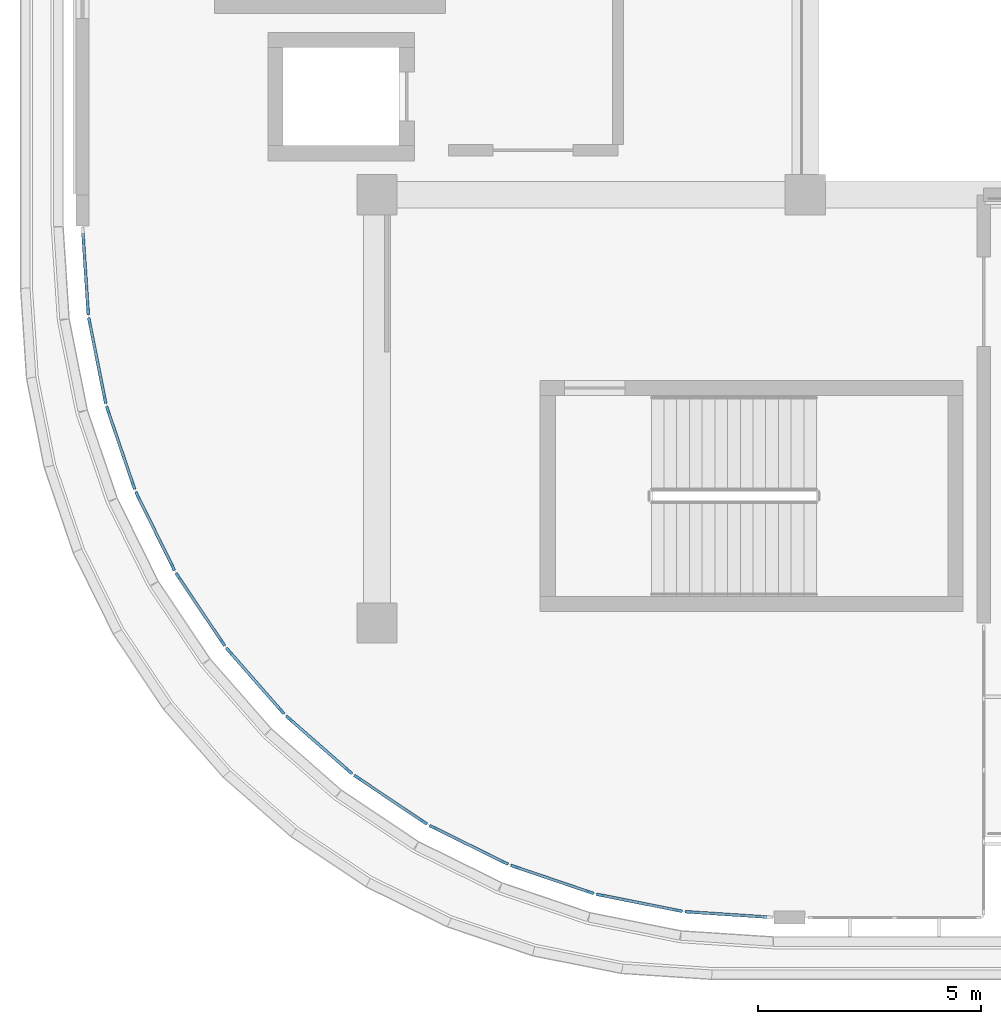
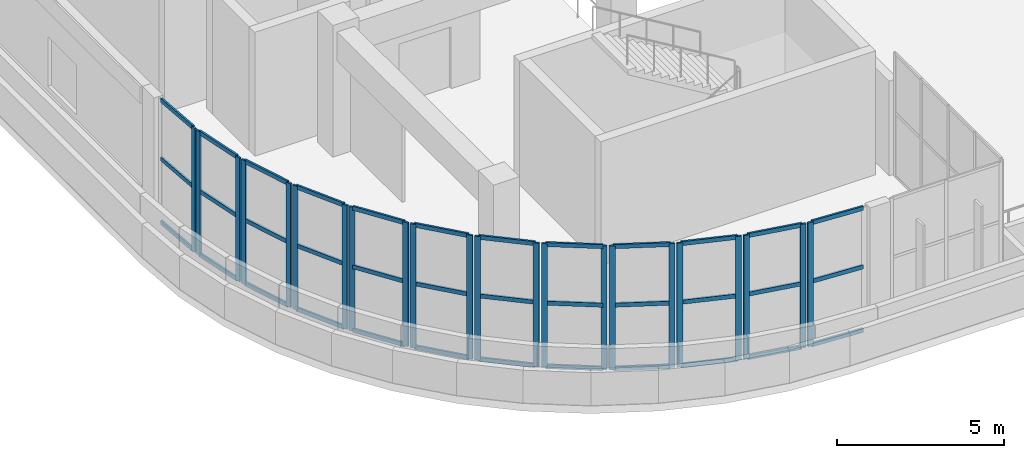
# One storey, part 2 of 96: 58 members, 12 elements without a shape of their own.
"""IFC4 building model written with IfcOpenShell, lengths in metres."""

from ifc_helpers import new_model, si_unit, direction, frame, origin, origin_2d, place, context, subcontext, project, spatial, rectangle, extrude, material, layer, layer_set, material_profile, profile_set, type_object, element, aggregate, save


model = new_model("IFC4")

# Units and contexts
model_context = context("Model", 3, precision=1e-05, world=origin(), true_north=direction((0.0, 1.0)))
body_context = subcontext(model_context, "Body", "Model", "MODEL_VIEW")
ifc_project = project(units=[si_unit("LENGTHUNIT", "METRE"), si_unit("AREAUNIT", "SQUARE_METRE"), si_unit("VOLUMEUNIT", "CUBIC_METRE"), si_unit("PLANEANGLEUNIT", "RADIAN"), si_unit("MASSUNIT", "GRAM", prefix="KILO")], contexts=[model_context])

# Site, building, storey
site_placement = place(None, origin())
site = spatial("IfcSite", under=ifc_project, at=site_placement, CompositionType="ELEMENT")
building_placement = place(site_placement, origin())
building = spatial("IfcBuilding", under=site, at=building_placement, Name="Cendralis Terraced Arcade", CompositionType="ELEMENT")
storey_placement = place(building_placement, frame((0.0, 0.0, 10.199951171875)))
storey = spatial("IfcBuildingStorey", under=building, at=storey_placement, Name="L02", CompositionType="ELEMENT", Elevation=10.199951171875)

# Curtain wall, member
ifc_material = material(Name="Anodised aluminium EN AW-6063 T6", Category="aluminium")
ifc_layer = layer(ifc_material, 0.179931640625, Name="CW-UNIT-A")
ifc_layer_set = layer_set([ifc_layer], Name="Anodised aluminium EN AW-6063 T6")
curtain_wall_type = type_object("IfcCurtainWallType", Name="CW-UNIT-A", PredefinedType="USERDEFINED", material=ifc_layer_set)
curtain_wall_1_placement = place(storey_placement, origin())
curtain_wall_1 = element("IfcCurtainWall", 1, at=curtain_wall_1_placement, inside=storey, type_object=curtain_wall_type, Name="Exterior Unitised Facade CW-L02-0209", ObjectType="UNITISED FACADE", PredefinedType="USERDEFINED")
ifc_material_profile_1 = material_profile(ifc_material, rectangle(XDim=0.06494140625, YDim=0.179931640625, at=origin_2d()), Name="ALU-MUL-65x180")
ifc_profile_set_1 = profile_set([ifc_material_profile_1], Name="Anodised aluminium EN AW-6063 T6")
member_type_1 = type_object("IfcMemberType", Name="CW-UNIT-A-MUL", PredefinedType="MULLION", material=ifc_profile_set_1)
member_1_placement = place(storey_placement, frame((16.59912109375, 3.12451171875, 0.0), z_axis=(0.0, 0.0, 1.0), x_axis=(-0.065383766124, -0.997860192175, 0.0)))
member_1 = element("IfcMember", 2, at=member_1_placement, type_object=member_type_1, Name="CW-U1 mullion 2", PredefinedType="MULLION", context=body_context, shape_type="SweptSolid", body=[
    extrude(rectangle(XDim=0.06494140625, YDim=0.179931640625, at=origin_2d()), origin(), (0.0, 0.0, 1.0), 4.51513671875),
])

# Curtain wall, members
curtain_wall_2_placement = place(storey_placement, origin())
curtain_wall_2 = element("IfcCurtainWall", 3, at=curtain_wall_2_placement, inside=storey, type_object=curtain_wall_type, Name="Exterior Unitised Facade CW-L02-0210", ObjectType="UNITISED FACADE", PredefinedType="USERDEFINED")
member_2_placement = place(storey_placement, frame((16.356689453125, 3.156494140625, 0.0), z_axis=(0.0, 0.0, 1.0), x_axis=(-0.195033398913, -0.980796601395, 0.0)))
member_2 = element("IfcMember", 4, at=member_2_placement, type_object=member_type_1, Name="CW-U1 mullion 1", PredefinedType="MULLION", context=body_context, shape_type="SweptSolid", body=[
    extrude(rectangle(XDim=0.06494140625, YDim=0.179931640625, at=origin_2d()), origin(), (0.0, 0.0, 1.0), 4.51513671875),
])
member_3_placement = place(storey_placement, frame((14.6083984375, 3.504150390625, 0.0), z_axis=(0.0, 0.0, 1.0), x_axis=(-0.195033398913, -0.980796601395, 0.0)))
member_3 = element("IfcMember", 5, at=member_3_placement, type_object=member_type_1, Name="CW-U1 mullion 2", PredefinedType="MULLION", context=body_context, shape_type="SweptSolid", body=[
    extrude(rectangle(XDim=0.06494140625, YDim=0.179931640625, at=origin_2d()), origin(), (0.0, 0.0, 1.0), 4.51513671875),
])

curtain_wall_3_placement = place(storey_placement, origin())
curtain_wall_3 = element("IfcCurtainWall", 6, at=curtain_wall_3_placement, inside=storey, type_object=curtain_wall_type, Name="Exterior Unitised Facade CW-L02-0211", ObjectType="UNITISED FACADE", PredefinedType="USERDEFINED")
member_4_placement = place(storey_placement, frame((14.372314453125, 3.5673828125, 0.0), z_axis=(0.0, 0.0, 1.0), x_axis=(-0.32150002033, -0.946909571674, 0.0)))
member_4 = element("IfcMember", 7, at=member_4_placement, type_object=member_type_1, Name="CW-U1 mullion 1", PredefinedType="MULLION", context=body_context, shape_type="SweptSolid", body=[
    extrude(rectangle(XDim=0.06494140625, YDim=0.179931640625, at=origin_2d()), origin(), (0.0, 0.0, 1.0), 4.51513671875),
])
member_5_placement = place(storey_placement, frame((12.684326171875, 4.140625, 0.0), z_axis=(0.0, 0.0, 1.0), x_axis=(-0.32150002033, -0.946909571674, 0.0)))
member_5 = element("IfcMember", 8, at=member_5_placement, type_object=member_type_1, Name="CW-U1 mullion 2", PredefinedType="MULLION", context=body_context, shape_type="SweptSolid", body=[
    extrude(rectangle(XDim=0.06494140625, YDim=0.179931640625, at=origin_2d()), origin(), (0.0, 0.0, 1.0), 4.51513671875),
])

curtain_wall_4_placement = place(storey_placement, origin())
curtain_wall_4 = element("IfcCurtainWall", 9, at=curtain_wall_4_placement, inside=storey, type_object=curtain_wall_type, Name="Exterior Unitised Facade CW-L02-0212", ObjectType="UNITISED FACADE", PredefinedType="USERDEFINED")
member_6_placement = place(storey_placement, frame((12.45849609375, 4.234130859375, 0.0), z_axis=(0.0, 0.0, 1.0), x_axis=(-0.442270416572, -0.896881752867, 0.0)))
member_6 = element("IfcMember", 10, at=member_6_placement, type_object=member_type_1, Name="CW-U1 mullion 1", PredefinedType="MULLION", context=body_context, shape_type="SweptSolid", body=[
    extrude(rectangle(XDim=0.06494140625, YDim=0.179931640625, at=origin_2d()), origin(), (0.0, 0.0, 1.0), 4.51513671875),
])
member_7_placement = place(storey_placement, frame((10.85986328125, 5.0224609375, 0.0), z_axis=(0.0, 0.0, 1.0), x_axis=(-0.442270416572, -0.896881752867, 0.0)))
member_7 = element("IfcMember", 11, at=member_7_placement, type_object=member_type_1, Name="CW-U1 mullion 2", PredefinedType="MULLION", context=body_context, shape_type="SweptSolid", body=[
    extrude(rectangle(XDim=0.06494140625, YDim=0.179931640625, at=origin_2d()), origin(), (0.0, 0.0, 1.0), 4.51513671875),
])

curtain_wall_5_placement = place(storey_placement, origin())
curtain_wall_5 = element("IfcCurtainWall", 12, at=curtain_wall_5_placement, inside=storey, type_object=curtain_wall_type, Name="Exterior Unitised Facade CW-L02-0213", ObjectType="UNITISED FACADE", PredefinedType="USERDEFINED")
member_8_placement = place(storey_placement, frame((10.648193359375, 5.144775390625, 0.0), z_axis=(0.0, 0.0, 1.0), x_axis=(-0.555549269065, -0.831483619587, 0.0)))
member_8 = element("IfcMember", 13, at=member_8_placement, type_object=member_type_1, Name="CW-U1 mullion 1", PredefinedType="MULLION", context=body_context, shape_type="SweptSolid", body=[
    extrude(rectangle(XDim=0.06494140625, YDim=0.179931640625, at=origin_2d()), origin(), (0.0, 0.0, 1.0), 4.51513671875),
])
member_9_placement = place(storey_placement, frame((9.166015625, 6.135009765625, 0.0), z_axis=(0.0, 0.0, 1.0), x_axis=(-0.555549269065, -0.831483619587, 0.0)))
member_9 = element("IfcMember", 14, at=member_9_placement, type_object=member_type_1, Name="CW-U1 mullion 2", PredefinedType="MULLION", context=body_context, shape_type="SweptSolid", body=[
    extrude(rectangle(XDim=0.06494140625, YDim=0.179931640625, at=origin_2d()), origin(), (0.0, 0.0, 1.0), 4.51513671875),
])

curtain_wall_6_placement = place(storey_placement, origin())
curtain_wall_6 = element("IfcCurtainWall", 15, at=curtain_wall_6_placement, inside=storey, type_object=curtain_wall_type, Name="Exterior Unitised Facade CW-L02-0214", ObjectType="UNITISED FACADE", PredefinedType="USERDEFINED")
member_10_placement = place(storey_placement, frame((8.97216796875, 6.28369140625, 0.0), z_axis=(0.0, 0.0, 1.0), x_axis=(-0.659370197402, -0.751818424075, 0.0)))
member_10 = element("IfcMember", 16, at=member_10_placement, type_object=member_type_1, Name="CW-U1 mullion 1", PredefinedType="MULLION", context=body_context, shape_type="SweptSolid", body=[
    extrude(rectangle(XDim=0.06494140625, YDim=0.179931640625, at=origin_2d()), origin(), (0.0, 0.0, 1.0), 4.51513671875),
])
member_11_placement = place(storey_placement, frame((7.6318359375, 7.458984375, 0.0), z_axis=(0.0, 0.0, 1.0), x_axis=(-0.659370197402, -0.751818424075, 0.0)))
member_11 = element("IfcMember", 17, at=member_11_placement, type_object=member_type_1, Name="CW-U1 mullion 2", PredefinedType="MULLION", context=body_context, shape_type="SweptSolid", body=[
    extrude(rectangle(XDim=0.06494140625, YDim=0.179931640625, at=origin_2d()), origin(), (0.0, 0.0, 1.0), 4.51513671875),
])

curtain_wall_7_placement = place(storey_placement, origin())
curtain_wall_7 = element("IfcCurtainWall", 18, at=curtain_wall_7_placement, inside=storey, type_object=curtain_wall_type, Name="Exterior Unitised Facade CW-L02-0215", ObjectType="UNITISED FACADE", PredefinedType="USERDEFINED")
member_12_placement = place(storey_placement, frame((7.458984375, 7.6318359375, 0.0), z_axis=(0.0, 0.0, 1.0), x_axis=(-0.751818424075, -0.659370197402, 0.0)))
member_12 = element("IfcMember", 19, at=member_12_placement, type_object=member_type_1, Name="CW-U1 mullion 1", PredefinedType="MULLION", context=body_context, shape_type="SweptSolid", body=[
    extrude(rectangle(XDim=0.06494140625, YDim=0.179931640625, at=origin_2d()), origin(), (0.0, 0.0, 1.0), 4.51513671875),
])
member_13_placement = place(storey_placement, frame((6.28369140625, 8.97216796875, 0.0), z_axis=(0.0, 0.0, 1.0), x_axis=(-0.751818424075, -0.659370197402, 0.0)))
member_13 = element("IfcMember", 20, at=member_13_placement, type_object=member_type_1, Name="CW-U1 mullion 2", PredefinedType="MULLION", context=body_context, shape_type="SweptSolid", body=[
    extrude(rectangle(XDim=0.06494140625, YDim=0.179931640625, at=origin_2d()), origin(), (0.0, 0.0, 1.0), 4.51513671875),
])

curtain_wall_8_placement = place(storey_placement, origin())
curtain_wall_8 = element("IfcCurtainWall", 21, at=curtain_wall_8_placement, inside=storey, type_object=curtain_wall_type, Name="Exterior Unitised Facade CW-L02-0216", ObjectType="UNITISED FACADE", PredefinedType="USERDEFINED")
member_14_placement = place(storey_placement, frame((6.135009765625, 9.166015625, 0.0), z_axis=(0.0, 0.0, 1.0), x_axis=(-0.831483619587, -0.555549269065, 0.0)))
member_14 = element("IfcMember", 22, at=member_14_placement, type_object=member_type_1, Name="CW-U1 mullion 1", PredefinedType="MULLION", context=body_context, shape_type="SweptSolid", body=[
    extrude(rectangle(XDim=0.06494140625, YDim=0.179931640625, at=origin_2d()), origin(), (0.0, 0.0, 1.0), 4.51513671875),
])
member_15_placement = place(storey_placement, frame((5.144775390625, 10.648193359375, 0.0), z_axis=(0.0, 0.0, 1.0), x_axis=(-0.831483619587, -0.555549269065, 0.0)))
member_15 = element("IfcMember", 23, at=member_15_placement, type_object=member_type_1, Name="CW-U1 mullion 2", PredefinedType="MULLION", context=body_context, shape_type="SweptSolid", body=[
    extrude(rectangle(XDim=0.06494140625, YDim=0.179931640625, at=origin_2d()), origin(), (0.0, 0.0, 1.0), 4.51513671875),
])

curtain_wall_9_placement = place(storey_placement, origin())
curtain_wall_9 = element("IfcCurtainWall", 24, at=curtain_wall_9_placement, inside=storey, type_object=curtain_wall_type, Name="Exterior Unitised Facade CW-L02-0217", ObjectType="UNITISED FACADE", PredefinedType="USERDEFINED")
member_16_placement = place(storey_placement, frame((5.0224609375, 10.85986328125, 0.0), z_axis=(0.0, 0.0, 1.0), x_axis=(-0.896881752867, -0.442270416572, 0.0)))
member_16 = element("IfcMember", 25, at=member_16_placement, type_object=member_type_1, Name="CW-U1 mullion 1", PredefinedType="MULLION", context=body_context, shape_type="SweptSolid", body=[
    extrude(rectangle(XDim=0.06494140625, YDim=0.179931640625, at=origin_2d()), origin(), (0.0, 0.0, 1.0), 4.51513671875),
])
member_17_placement = place(storey_placement, frame((4.234130859375, 12.45849609375, 0.0), z_axis=(0.0, 0.0, 1.0), x_axis=(-0.896881752867, -0.442270416572, 0.0)))
member_17 = element("IfcMember", 26, at=member_17_placement, type_object=member_type_1, Name="CW-U1 mullion 2", PredefinedType="MULLION", context=body_context, shape_type="SweptSolid", body=[
    extrude(rectangle(XDim=0.06494140625, YDim=0.179931640625, at=origin_2d()), origin(), (0.0, 0.0, 1.0), 4.51513671875),
])

curtain_wall_10_placement = place(storey_placement, origin())
curtain_wall_10 = element("IfcCurtainWall", 27, at=curtain_wall_10_placement, inside=storey, type_object=curtain_wall_type, Name="Exterior Unitised Facade CW-L02-0218", ObjectType="UNITISED FACADE", PredefinedType="USERDEFINED")
member_18_placement = place(storey_placement, frame((4.140625, 12.684326171875, 0.0), z_axis=(0.0, 0.0, 1.0), x_axis=(-0.946909571674, -0.32150002033, 0.0)))
member_18 = element("IfcMember", 28, at=member_18_placement, type_object=member_type_1, Name="CW-U1 mullion 1", PredefinedType="MULLION", context=body_context, shape_type="SweptSolid", body=[
    extrude(rectangle(XDim=0.06494140625, YDim=0.179931640625, at=origin_2d()), origin(), (0.0, 0.0, 1.0), 4.51513671875),
])
member_19_placement = place(storey_placement, frame((3.5673828125, 14.372314453125, 0.0), z_axis=(0.0, 0.0, 1.0), x_axis=(-0.946909571674, -0.32150002033, 0.0)))
member_19 = element("IfcMember", 29, at=member_19_placement, type_object=member_type_1, Name="CW-U1 mullion 2", PredefinedType="MULLION", context=body_context, shape_type="SweptSolid", body=[
    extrude(rectangle(XDim=0.06494140625, YDim=0.179931640625, at=origin_2d()), origin(), (0.0, 0.0, 1.0), 4.51513671875),
])

curtain_wall_11_placement = place(storey_placement, origin())
curtain_wall_11 = element("IfcCurtainWall", 30, at=curtain_wall_11_placement, inside=storey, type_object=curtain_wall_type, Name="Exterior Unitised Facade CW-L02-0219", ObjectType="UNITISED FACADE", PredefinedType="USERDEFINED")
member_20_placement = place(storey_placement, frame((3.504150390625, 14.6083984375, 0.0), z_axis=(0.0, 0.0, 1.0), x_axis=(-0.980796601395, -0.195033398913, 0.0)))
member_20 = element("IfcMember", 31, at=member_20_placement, type_object=member_type_1, Name="CW-U1 mullion 1", PredefinedType="MULLION", context=body_context, shape_type="SweptSolid", body=[
    extrude(rectangle(XDim=0.06494140625, YDim=0.179931640625, at=origin_2d()), origin(), (0.0, 0.0, 1.0), 4.51513671875),
])
member_21_placement = place(storey_placement, frame((3.156494140625, 16.356689453125, 0.0), z_axis=(0.0, 0.0, 1.0), x_axis=(-0.980796601395, -0.195033398913, 0.0)))
member_21 = element("IfcMember", 32, at=member_21_placement, type_object=member_type_1, Name="CW-U1 mullion 2", PredefinedType="MULLION", context=body_context, shape_type="SweptSolid", body=[
    extrude(rectangle(XDim=0.06494140625, YDim=0.179931640625, at=origin_2d()), origin(), (0.0, 0.0, 1.0), 4.51513671875),
])

# Curtain wall, member
curtain_wall_12_placement = place(storey_placement, origin())
curtain_wall_12 = element("IfcCurtainWall", 33, at=curtain_wall_12_placement, inside=storey, type_object=curtain_wall_type, Name="Exterior Unitised Facade CW-L02-0220", ObjectType="UNITISED FACADE", PredefinedType="USERDEFINED")
member_22_placement = place(storey_placement, frame((3.12451171875, 16.59912109375, 0.0), z_axis=(0.0, 0.0, 1.0), x_axis=(-0.997860192175, -0.065383766124, 0.0)))
member_22 = element("IfcMember", 34, at=member_22_placement, type_object=member_type_1, Name="CW-U1 mullion 1", PredefinedType="MULLION", context=body_context, shape_type="SweptSolid", body=[
    extrude(rectangle(XDim=0.06494140625, YDim=0.179931640625, at=origin_2d()), origin(), (0.0, 0.0, 1.0), 4.51513671875),
])

# Member
ifc_material_profile_2 = material_profile(ifc_material, rectangle(XDim=0.06494140625, YDim=0.14990234375, at=origin_2d()), Name="ALU-TRN-65x150")
ifc_profile_set_2 = profile_set([ifc_material_profile_2], Name="Anodised aluminium EN AW-6063 T6")
member_type_2 = type_object("IfcMemberType", Name="CW-UNIT-A-TRN", PredefinedType="USERDEFINED", material=ifc_profile_set_2)
member_23_placement = place(storey_placement, frame((18.345458984375, 3.01025390625, 0.032470703125), z_axis=(-0.997860598557, 0.065377563785, 0.0), x_axis=(-0.065377563785, -0.997860598557, 0.0)))
member_23 = element("IfcMember", 35, at=member_23_placement, type_object=member_type_2, Name="CW-U1 transom 1.1", ObjectType="TRANSOM", PredefinedType="USERDEFINED", context=body_context, shape_type="SweptSolid", body=[
    extrude(rectangle(XDim=0.06494140625, YDim=0.14990234375, at=origin_2d()), origin(), (0.0, 0.0, 1.0), 1.7177734375),
])

member_24_placement = place(storey_placement, frame((18.345458984375, 3.01025390625, 2.347900390625), z_axis=(-0.997860598557, 0.065377563785, 0.0), x_axis=(-0.065377563785, -0.997860598557, 0.0)))
member_24 = element("IfcMember", 36, at=member_24_placement, type_object=member_type_2, Name="CW-U1 transom 1.2", ObjectType="TRANSOM", PredefinedType="USERDEFINED", context=body_context, shape_type="SweptSolid", body=[
    extrude(rectangle(XDim=0.06494140625, YDim=0.14990234375, at=origin_2d()), origin(), (0.0, 0.0, 1.0), 1.7177734375),
])

member_25_placement = place(storey_placement, frame((18.345458984375, 3.01025390625, 4.482666015625), z_axis=(-0.997860598557, 0.065377563785, 0.0), x_axis=(-0.065377563785, -0.997860598557, 0.0)))
member_25 = element("IfcMember", 37, at=member_25_placement, type_object=member_type_2, Name="CW-U1 transom 1.3", ObjectType="TRANSOM", PredefinedType="USERDEFINED", context=body_context, shape_type="SweptSolid", body=[
    extrude(rectangle(XDim=0.06494140625, YDim=0.14990234375, at=origin_2d()), origin(), (0.0, 0.0, 1.0), 1.7177734375),
])

aggregate(curtain_wall_1, [member_1, member_23, member_24, member_25])

member_26_placement = place(storey_placement, frame((16.32470703125, 3.162841796875, 0.032470703125), z_axis=(-0.980793342855, 0.195049784954, 0.0), x_axis=(-0.195049784954, -0.980793342855, 0.0)))
member_26 = element("IfcMember", 38, at=member_26_placement, type_object=member_type_2, Name="CW-U1 transom 1.1", ObjectType="TRANSOM", PredefinedType="USERDEFINED", context=body_context, shape_type="SweptSolid", body=[
    extrude(rectangle(XDim=0.06494140625, YDim=0.14990234375, at=origin_2d()), origin(), (0.0, 0.0, 1.0), 1.71728515625),
])

member_27_placement = place(storey_placement, frame((16.32470703125, 3.162841796875, 2.347900390625), z_axis=(-0.980793342855, 0.195049784954, 0.0), x_axis=(-0.195049784954, -0.980793342855, 0.0)))
member_27 = element("IfcMember", 39, at=member_27_placement, type_object=member_type_2, Name="CW-U1 transom 1.2", ObjectType="TRANSOM", PredefinedType="USERDEFINED", context=body_context, shape_type="SweptSolid", body=[
    extrude(rectangle(XDim=0.06494140625, YDim=0.14990234375, at=origin_2d()), origin(), (0.0, 0.0, 1.0), 1.71728515625),
])

member_28_placement = place(storey_placement, frame((16.32470703125, 3.162841796875, 4.482666015625), z_axis=(-0.980793342855, 0.195049784954, 0.0), x_axis=(-0.195049784954, -0.980793342855, 0.0)))
member_28 = element("IfcMember", 40, at=member_28_placement, type_object=member_type_2, Name="CW-U1 transom 1.3", ObjectType="TRANSOM", PredefinedType="USERDEFINED", context=body_context, shape_type="SweptSolid", body=[
    extrude(rectangle(XDim=0.06494140625, YDim=0.14990234375, at=origin_2d()), origin(), (0.0, 0.0, 1.0), 1.71728515625),
])

aggregate(curtain_wall_2, [member_2, member_3, member_26, member_27, member_28])

member_29_placement = place(storey_placement, frame((14.341552734375, 3.577880859375, 0.032470703125), z_axis=(-0.946906084256, 0.321510291592, 0.0), x_axis=(-0.321510291592, -0.946906084256, 0.0)))
member_29 = element("IfcMember", 41, at=member_29_placement, type_object=member_type_2, Name="CW-U1 transom 1.1", ObjectType="TRANSOM", PredefinedType="USERDEFINED", context=body_context, shape_type="SweptSolid", body=[
    extrude(rectangle(XDim=0.06494140625, YDim=0.14990234375, at=origin_2d()), origin(), (0.0, 0.0, 1.0), 1.7177734375),
])

member_30_placement = place(storey_placement, frame((14.341552734375, 3.577880859375, 2.347900390625), z_axis=(-0.946906084256, 0.321510291592, 0.0), x_axis=(-0.321510291592, -0.946906084256, 0.0)))
member_30 = element("IfcMember", 42, at=member_30_placement, type_object=member_type_2, Name="CW-U1 transom 1.2", ObjectType="TRANSOM", PredefinedType="USERDEFINED", context=body_context, shape_type="SweptSolid", body=[
    extrude(rectangle(XDim=0.06494140625, YDim=0.14990234375, at=origin_2d()), origin(), (0.0, 0.0, 1.0), 1.7177734375),
])

member_31_placement = place(storey_placement, frame((14.341552734375, 3.577880859375, 4.482666015625), z_axis=(-0.946906084256, 0.321510291592, 0.0), x_axis=(-0.321510291592, -0.946906084256, 0.0)))
member_31 = element("IfcMember", 43, at=member_31_placement, type_object=member_type_2, Name="CW-U1 transom 1.3", ObjectType="TRANSOM", PredefinedType="USERDEFINED", context=body_context, shape_type="SweptSolid", body=[
    extrude(rectangle(XDim=0.06494140625, YDim=0.14990234375, at=origin_2d()), origin(), (0.0, 0.0, 1.0), 1.7177734375),
])

aggregate(curtain_wall_3, [member_4, member_5, member_29, member_30, member_31])

member_32_placement = place(storey_placement, frame((12.429443359375, 4.24853515625, 0.032470703125), z_axis=(-0.896914892552, 0.442203206138, 0.0), x_axis=(-0.442203206138, -0.896914892552, 0.0)))
member_32 = element("IfcMember", 44, at=member_32_placement, type_object=member_type_2, Name="CW-U1 transom 1.1", ObjectType="TRANSOM", PredefinedType="USERDEFINED", context=body_context, shape_type="SweptSolid", body=[
    extrude(rectangle(XDim=0.06494140625, YDim=0.14990234375, at=origin_2d()), origin(), (0.0, 0.0, 1.0), 1.717529296875),
])

member_33_placement = place(storey_placement, frame((12.429443359375, 4.24853515625, 2.347900390625), z_axis=(-0.896914892552, 0.442203206138, 0.0), x_axis=(-0.442203206138, -0.896914892552, 0.0)))
member_33 = element("IfcMember", 45, at=member_33_placement, type_object=member_type_2, Name="CW-U1 transom 1.2", ObjectType="TRANSOM", PredefinedType="USERDEFINED", context=body_context, shape_type="SweptSolid", body=[
    extrude(rectangle(XDim=0.06494140625, YDim=0.14990234375, at=origin_2d()), origin(), (0.0, 0.0, 1.0), 1.717529296875),
])

member_34_placement = place(storey_placement, frame((12.429443359375, 4.24853515625, 4.482666015625), z_axis=(-0.896914892552, 0.442203206138, 0.0), x_axis=(-0.442203206138, -0.896914892552, 0.0)))
member_34 = element("IfcMember", 46, at=member_34_placement, type_object=member_type_2, Name="CW-U1 transom 1.3", ObjectType="TRANSOM", PredefinedType="USERDEFINED", context=body_context, shape_type="SweptSolid", body=[
    extrude(rectangle(XDim=0.06494140625, YDim=0.14990234375, at=origin_2d()), origin(), (0.0, 0.0, 1.0), 1.717529296875),
])

aggregate(curtain_wall_4, [member_6, member_7, member_32, member_33, member_34])

member_35_placement = place(storey_placement, frame((10.62109375, 5.16259765625, 0.032470703125), z_axis=(-0.831415557935, 0.555651122579, 0.0), x_axis=(-0.555651122579, -0.831415557935, 0.0)))
member_35 = element("IfcMember", 47, at=member_35_placement, type_object=member_type_2, Name="CW-U1 transom 1.1", ObjectType="TRANSOM", PredefinedType="USERDEFINED", context=body_context, shape_type="SweptSolid", body=[
    extrude(rectangle(XDim=0.06494140625, YDim=0.14990234375, at=origin_2d()), origin(), (0.0, 0.0, 1.0), 1.717529296875),
])

member_36_placement = place(storey_placement, frame((10.62109375, 5.16259765625, 2.347900390625), z_axis=(-0.831415557935, 0.555651122579, 0.0), x_axis=(-0.555651122579, -0.831415557935, 0.0)))
member_36 = element("IfcMember", 48, at=member_36_placement, type_object=member_type_2, Name="CW-U1 transom 1.2", ObjectType="TRANSOM", PredefinedType="USERDEFINED", context=body_context, shape_type="SweptSolid", body=[
    extrude(rectangle(XDim=0.06494140625, YDim=0.14990234375, at=origin_2d()), origin(), (0.0, 0.0, 1.0), 1.717529296875),
])

member_37_placement = place(storey_placement, frame((10.62109375, 5.16259765625, 4.482666015625), z_axis=(-0.831415557935, 0.555651122579, 0.0), x_axis=(-0.555651122579, -0.831415557935, 0.0)))
member_37 = element("IfcMember", 49, at=member_37_placement, type_object=member_type_2, Name="CW-U1 transom 1.3", ObjectType="TRANSOM", PredefinedType="USERDEFINED", context=body_context, shape_type="SweptSolid", body=[
    extrude(rectangle(XDim=0.06494140625, YDim=0.14990234375, at=origin_2d()), origin(), (0.0, 0.0, 1.0), 1.717529296875),
])

aggregate(curtain_wall_5, [member_8, member_9, member_35, member_36, member_37])

member_38_placement = place(storey_placement, frame((8.947509765625, 6.30517578125, 0.032470703125), z_axis=(-0.751792490336, 0.659399766056, 0.0), x_axis=(-0.659399766056, -0.751792490336, 0.0)))
member_38 = element("IfcMember", 50, at=member_38_placement, type_object=member_type_2, Name="CW-U1 transom 1.1", ObjectType="TRANSOM", PredefinedType="USERDEFINED", context=body_context, shape_type="SweptSolid", body=[
    extrude(rectangle(XDim=0.06494140625, YDim=0.14990234375, at=origin_2d()), origin(), (0.0, 0.0, 1.0), 1.717529296875),
])

member_39_placement = place(storey_placement, frame((8.947509765625, 6.30517578125, 2.347900390625), z_axis=(-0.751792490336, 0.659399766056, 0.0), x_axis=(-0.659399766056, -0.751792490336, 0.0)))
member_39 = element("IfcMember", 51, at=member_39_placement, type_object=member_type_2, Name="CW-U1 transom 1.2", ObjectType="TRANSOM", PredefinedType="USERDEFINED", context=body_context, shape_type="SweptSolid", body=[
    extrude(rectangle(XDim=0.06494140625, YDim=0.14990234375, at=origin_2d()), origin(), (0.0, 0.0, 1.0), 1.717529296875),
])

member_40_placement = place(storey_placement, frame((8.947509765625, 6.30517578125, 4.482666015625), z_axis=(-0.751792490336, 0.659399766056, 0.0), x_axis=(-0.659399766056, -0.751792490336, 0.0)))
member_40 = element("IfcMember", 52, at=member_40_placement, type_object=member_type_2, Name="CW-U1 transom 1.3", ObjectType="TRANSOM", PredefinedType="USERDEFINED", context=body_context, shape_type="SweptSolid", body=[
    extrude(rectangle(XDim=0.06494140625, YDim=0.14990234375, at=origin_2d()), origin(), (0.0, 0.0, 1.0), 1.717529296875),
])

aggregate(curtain_wall_6, [member_10, member_11, member_38, member_39, member_40])

member_41_placement = place(storey_placement, frame((7.437744140625, 7.65625, 0.032470703125), z_axis=(-0.659399766056, 0.751792490336, 0.0), x_axis=(-0.751792490336, -0.659399766056, 0.0)))
member_41 = element("IfcMember", 53, at=member_41_placement, type_object=member_type_2, Name="CW-U1 transom 1.1", ObjectType="TRANSOM", PredefinedType="USERDEFINED", context=body_context, shape_type="SweptSolid", body=[
    extrude(rectangle(XDim=0.06494140625, YDim=0.14990234375, at=origin_2d()), origin(), (0.0, 0.0, 1.0), 1.717529296875),
])

member_42_placement = place(storey_placement, frame((7.437744140625, 7.65625, 2.347900390625), z_axis=(-0.659399766056, 0.751792490336, 0.0), x_axis=(-0.751792490336, -0.659399766056, 0.0)))
member_42 = element("IfcMember", 54, at=member_42_placement, type_object=member_type_2, Name="CW-U1 transom 1.2", ObjectType="TRANSOM", PredefinedType="USERDEFINED", context=body_context, shape_type="SweptSolid", body=[
    extrude(rectangle(XDim=0.06494140625, YDim=0.14990234375, at=origin_2d()), origin(), (0.0, 0.0, 1.0), 1.717529296875),
])

member_43_placement = place(storey_placement, frame((7.437744140625, 7.65625, 4.482666015625), z_axis=(-0.659399766056, 0.751792490336, 0.0), x_axis=(-0.751792490336, -0.659399766056, 0.0)))
member_43 = element("IfcMember", 55, at=member_43_placement, type_object=member_type_2, Name="CW-U1 transom 1.3", ObjectType="TRANSOM", PredefinedType="USERDEFINED", context=body_context, shape_type="SweptSolid", body=[
    extrude(rectangle(XDim=0.06494140625, YDim=0.14990234375, at=origin_2d()), origin(), (0.0, 0.0, 1.0), 1.717529296875),
])

aggregate(curtain_wall_7, [member_12, member_13, member_41, member_42, member_43])

member_44_placement = place(storey_placement, frame((6.116943359375, 9.193115234375, 0.032470703125), z_axis=(-0.555651122579, 0.831415557935, 0.0), x_axis=(-0.831415557935, -0.555651122579, 0.0)))
member_44 = element("IfcMember", 56, at=member_44_placement, type_object=member_type_2, Name="CW-U1 transom 1.1", ObjectType="TRANSOM", PredefinedType="USERDEFINED", context=body_context, shape_type="SweptSolid", body=[
    extrude(rectangle(XDim=0.06494140625, YDim=0.14990234375, at=origin_2d()), origin(), (0.0, 0.0, 1.0), 1.717529296875),
])

member_45_placement = place(storey_placement, frame((6.116943359375, 9.193115234375, 2.347900390625), z_axis=(-0.555651122579, 0.831415557935, 0.0), x_axis=(-0.831415557935, -0.555651122579, 0.0)))
member_45 = element("IfcMember", 57, at=member_45_placement, type_object=member_type_2, Name="CW-U1 transom 1.2", ObjectType="TRANSOM", PredefinedType="USERDEFINED", context=body_context, shape_type="SweptSolid", body=[
    extrude(rectangle(XDim=0.06494140625, YDim=0.14990234375, at=origin_2d()), origin(), (0.0, 0.0, 1.0), 1.717529296875),
])

member_46_placement = place(storey_placement, frame((6.116943359375, 9.193115234375, 4.482666015625), z_axis=(-0.555651122579, 0.831415557935, 0.0), x_axis=(-0.831415557935, -0.555651122579, 0.0)))
member_46 = element("IfcMember", 58, at=member_46_placement, type_object=member_type_2, Name="CW-U1 transom 1.3", ObjectType="TRANSOM", PredefinedType="USERDEFINED", context=body_context, shape_type="SweptSolid", body=[
    extrude(rectangle(XDim=0.06494140625, YDim=0.14990234375, at=origin_2d()), origin(), (0.0, 0.0, 1.0), 1.717529296875),
])

aggregate(curtain_wall_8, [member_14, member_15, member_44, member_45, member_46])

member_47_placement = place(storey_placement, frame((5.008056640625, 10.888916015625, 0.032470703125), z_axis=(-0.442203206138, 0.896914892552, 0.0), x_axis=(-0.896914892552, -0.442203206138, 0.0)))
member_47 = element("IfcMember", 59, at=member_47_placement, type_object=member_type_2, Name="CW-U1 transom 1.1", ObjectType="TRANSOM", PredefinedType="USERDEFINED", context=body_context, shape_type="SweptSolid", body=[
    extrude(rectangle(XDim=0.06494140625, YDim=0.14990234375, at=origin_2d()), origin(), (0.0, 0.0, 1.0), 1.717529296875),
])

member_48_placement = place(storey_placement, frame((5.008056640625, 10.888916015625, 2.347900390625), z_axis=(-0.442203206138, 0.896914892552, 0.0), x_axis=(-0.896914892552, -0.442203206138, 0.0)))
member_48 = element("IfcMember", 60, at=member_48_placement, type_object=member_type_2, Name="CW-U1 transom 1.2", ObjectType="TRANSOM", PredefinedType="USERDEFINED", context=body_context, shape_type="SweptSolid", body=[
    extrude(rectangle(XDim=0.06494140625, YDim=0.14990234375, at=origin_2d()), origin(), (0.0, 0.0, 1.0), 1.717529296875),
])

member_49_placement = place(storey_placement, frame((5.008056640625, 10.888916015625, 4.482666015625), z_axis=(-0.442203206138, 0.896914892552, 0.0), x_axis=(-0.896914892552, -0.442203206138, 0.0)))
member_49 = element("IfcMember", 61, at=member_49_placement, type_object=member_type_2, Name="CW-U1 transom 1.3", ObjectType="TRANSOM", PredefinedType="USERDEFINED", context=body_context, shape_type="SweptSolid", body=[
    extrude(rectangle(XDim=0.06494140625, YDim=0.14990234375, at=origin_2d()), origin(), (0.0, 0.0, 1.0), 1.717529296875),
])

aggregate(curtain_wall_9, [member_16, member_17, member_47, member_48, member_49])

member_50_placement = place(storey_placement, frame((4.130126953125, 12.715087890625, 0.032470703125), z_axis=(-0.321510291592, 0.946906084256, 0.0), x_axis=(-0.946906084256, -0.321510291592, 0.0)))
member_50 = element("IfcMember", 62, at=member_50_placement, type_object=member_type_2, Name="CW-U1 transom 1.1", ObjectType="TRANSOM", PredefinedType="USERDEFINED", context=body_context, shape_type="SweptSolid", body=[
    extrude(rectangle(XDim=0.06494140625, YDim=0.14990234375, at=origin_2d()), origin(), (0.0, 0.0, 1.0), 1.7177734375),
])

member_51_placement = place(storey_placement, frame((4.130126953125, 12.715087890625, 2.347900390625), z_axis=(-0.321510291592, 0.946906084256, 0.0), x_axis=(-0.946906084256, -0.321510291592, 0.0)))
member_51 = element("IfcMember", 63, at=member_51_placement, type_object=member_type_2, Name="CW-U1 transom 1.2", ObjectType="TRANSOM", PredefinedType="USERDEFINED", context=body_context, shape_type="SweptSolid", body=[
    extrude(rectangle(XDim=0.06494140625, YDim=0.14990234375, at=origin_2d()), origin(), (0.0, 0.0, 1.0), 1.7177734375),
])

member_52_placement = place(storey_placement, frame((4.130126953125, 12.715087890625, 4.482666015625), z_axis=(-0.321510291592, 0.946906084256, 0.0), x_axis=(-0.946906084256, -0.321510291592, 0.0)))
member_52 = element("IfcMember", 64, at=member_52_placement, type_object=member_type_2, Name="CW-U1 transom 1.3", ObjectType="TRANSOM", PredefinedType="USERDEFINED", context=body_context, shape_type="SweptSolid", body=[
    extrude(rectangle(XDim=0.06494140625, YDim=0.14990234375, at=origin_2d()), origin(), (0.0, 0.0, 1.0), 1.7177734375),
])

aggregate(curtain_wall_10, [member_18, member_19, member_50, member_51, member_52])

member_53_placement = place(storey_placement, frame((3.497802734375, 14.640380859375, 0.032470703125), z_axis=(-0.195049784954, 0.980793342855, 0.0), x_axis=(-0.980793342855, -0.195049784954, 0.0)))
member_53 = element("IfcMember", 65, at=member_53_placement, type_object=member_type_2, Name="CW-U1 transom 1.1", ObjectType="TRANSOM", PredefinedType="USERDEFINED", context=body_context, shape_type="SweptSolid", body=[
    extrude(rectangle(XDim=0.06494140625, YDim=0.14990234375, at=origin_2d()), origin(), (0.0, 0.0, 1.0), 1.71728515625),
])

member_54_placement = place(storey_placement, frame((3.497802734375, 14.640380859375, 2.347900390625), z_axis=(-0.195049784954, 0.980793342855, 0.0), x_axis=(-0.980793342855, -0.195049784954, 0.0)))
member_54 = element("IfcMember", 66, at=member_54_placement, type_object=member_type_2, Name="CW-U1 transom 1.2", ObjectType="TRANSOM", PredefinedType="USERDEFINED", context=body_context, shape_type="SweptSolid", body=[
    extrude(rectangle(XDim=0.06494140625, YDim=0.14990234375, at=origin_2d()), origin(), (0.0, 0.0, 1.0), 1.71728515625),
])

member_55_placement = place(storey_placement, frame((3.497802734375, 14.640380859375, 4.482666015625), z_axis=(-0.195049784954, 0.980793342855, 0.0), x_axis=(-0.980793342855, -0.195049784954, 0.0)))
member_55 = element("IfcMember", 67, at=member_55_placement, type_object=member_type_2, Name="CW-U1 transom 1.3", ObjectType="TRANSOM", PredefinedType="USERDEFINED", context=body_context, shape_type="SweptSolid", body=[
    extrude(rectangle(XDim=0.06494140625, YDim=0.14990234375, at=origin_2d()), origin(), (0.0, 0.0, 1.0), 1.71728515625),
])

aggregate(curtain_wall_11, [member_20, member_21, member_53, member_54, member_55])

member_56_placement = place(storey_placement, frame((3.12255859375, 16.63134765625, 0.032470703125), z_axis=(-0.065377563785, 0.997860598557, 0.0), x_axis=(-0.997860598557, -0.065377563785, 0.0)))
member_56 = element("IfcMember", 68, at=member_56_placement, type_object=member_type_2, Name="CW-U1 transom 1.1", ObjectType="TRANSOM", PredefinedType="USERDEFINED", context=body_context, shape_type="SweptSolid", body=[
    extrude(rectangle(XDim=0.06494140625, YDim=0.14990234375, at=origin_2d()), origin(), (0.0, 0.0, 1.0), 1.7177734375),
])

member_57_placement = place(storey_placement, frame((3.12255859375, 16.63134765625, 2.347900390625), z_axis=(-0.065377563785, 0.997860598557, 0.0), x_axis=(-0.997860598557, -0.065377563785, 0.0)))
member_57 = element("IfcMember", 69, at=member_57_placement, type_object=member_type_2, Name="CW-U1 transom 1.2", ObjectType="TRANSOM", PredefinedType="USERDEFINED", context=body_context, shape_type="SweptSolid", body=[
    extrude(rectangle(XDim=0.06494140625, YDim=0.14990234375, at=origin_2d()), origin(), (0.0, 0.0, 1.0), 1.7177734375),
])

member_58_placement = place(storey_placement, frame((3.12255859375, 16.63134765625, 4.482666015625), z_axis=(-0.065377563785, 0.997860598557, 0.0), x_axis=(-0.997860598557, -0.065377563785, 0.0)))
member_58 = element("IfcMember", 70, at=member_58_placement, type_object=member_type_2, Name="CW-U1 transom 1.3", ObjectType="TRANSOM", PredefinedType="USERDEFINED", context=body_context, shape_type="SweptSolid", body=[
    extrude(rectangle(XDim=0.06494140625, YDim=0.14990234375, at=origin_2d()), origin(), (0.0, 0.0, 1.0), 1.7177734375),
])

aggregate(curtain_wall_12, [member_22, member_56, member_57, member_58])

save(model, "model.ifc")
